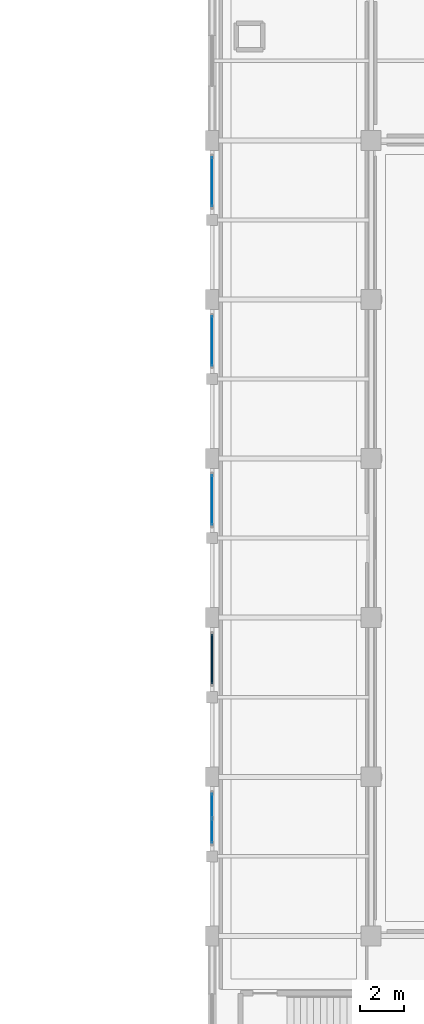
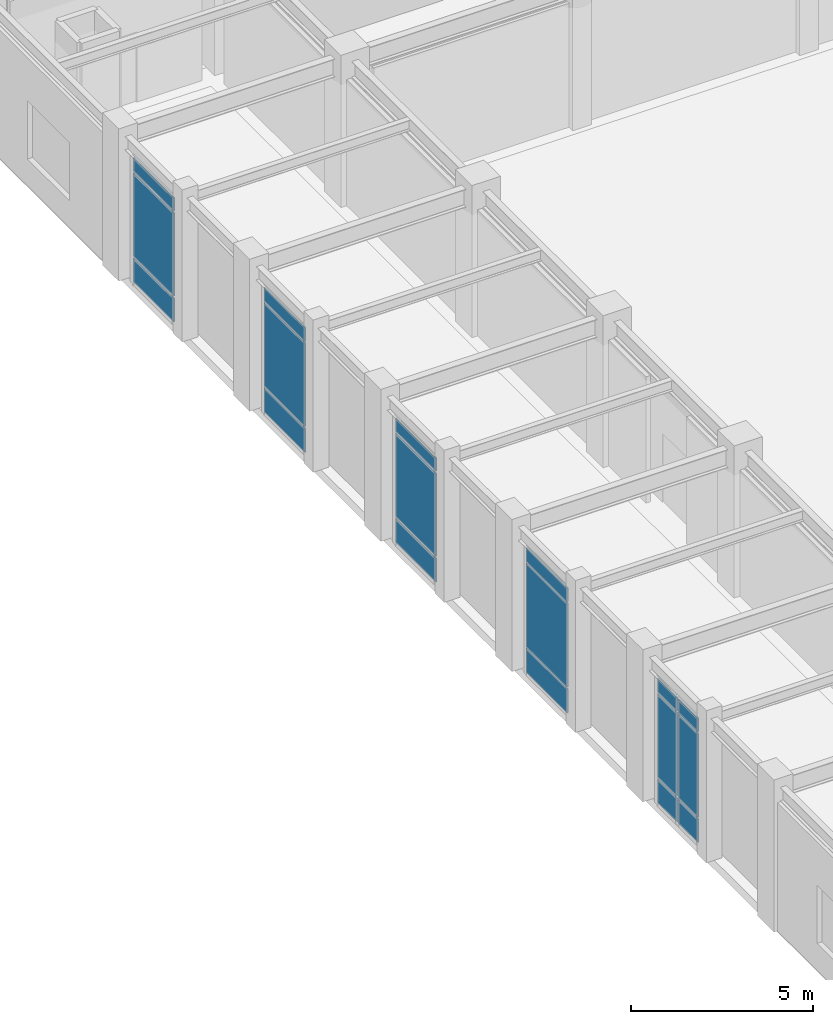
# One storey, part 70 of 117: 18 plates, 5 elements without a shape of their own.
"""IFC4 building model written with IfcOpenShell, lengths in metres."""

from ifc_helpers import new_model, si_unit, direction, frame, origin, origin_2d, place, context, subcontext, project, spatial, rectangle, extrude, material, layer, layer_set, type_object, element, aggregate, save


model = new_model("IFC4")

# Units and contexts
model_context = context("Model", 3, precision=1e-05, world=origin(), true_north=direction((0.0, 1.0)))
body_context = subcontext(model_context, "Body", "Model", "MODEL_VIEW")
ifc_project = project(units=[si_unit("LENGTHUNIT", "METRE"), si_unit("AREAUNIT", "SQUARE_METRE"), si_unit("VOLUMEUNIT", "CUBIC_METRE"), si_unit("PLANEANGLEUNIT", "RADIAN"), si_unit("MASSUNIT", "GRAM", prefix="KILO")], contexts=[model_context])

# Site, building, storey
site_placement = place(None, origin())
site = spatial("IfcSite", under=ifc_project, at=site_placement, CompositionType="ELEMENT")
building_placement = place(site_placement, origin())
building = spatial("IfcBuilding", under=site, at=building_placement, Name="Carrowvane Square Congress Hotel", CompositionType="ELEMENT")
storey_placement = place(building_placement, frame((0.0, 0.0, 5.39990234375)))
storey = spatial("IfcBuildingStorey", under=building, at=storey_placement, Name="L01", CompositionType="ELEMENT", Elevation=5.39990234375)

# Curtain wall, plates
ifc_material_1 = material(Name="Anodised aluminium", Category="aluminium")
ifc_layer_1 = layer(ifc_material_1, 0.197998046875)
ifc_layer_set_1 = layer_set([ifc_layer_1], Name="Anodised aluminium")
curtain_wall_type_1 = type_object("IfcCurtainWallType", Name="CW-SYS-4", PredefinedType="NOTDEFINED", material=ifc_layer_set_1)
curtain_wall_1_placement = place(storey_placement, origin())
curtain_wall_1 = element("IfcCurtainWall", 1, at=curtain_wall_1_placement, inside=storey, type_object=curtain_wall_type_1, Name="L01 unitised curtain wall 115", PredefinedType="NOTDEFINED")
ifc_material_2 = material(Name="Double-glazed low-E glass", Category="glass")
ifc_layer_2 = layer(ifc_material_2, 0.028076171875)
ifc_layer_set_2 = layer_set([ifc_layer_2], Name="Double-glazed low-E glass")
plate_type_1 = type_object("IfcPlateType", Name="CW-PAN-1", PredefinedType="CURTAIN_PANEL", material=ifc_layer_set_2)
plate_1_placement = place(storey_placement, frame((134.0, 32.324951171875, 0.070068359375), z_axis=(0.0, 0.0, 1.0), x_axis=(0.0, 1.0, 0.0)))
plate_1 = element("IfcPlate", 2, at=plate_1_placement, type_object=plate_type_1, Name="CW-4 panel 1.1", PredefinedType="CURTAIN_PANEL", context=body_context, shape_type="SweptSolid", body=[
    extrude(rectangle(XDim=2.22998046875, YDim=0.028076171875, at=origin_2d()), origin(), (0.0, 0.0, 1.0), 0.794921875),
])
plate_2_placement = place(storey_placement, frame((134.0, 32.324951171875, 0.93505859375), z_axis=(0.0, 0.0, 1.0), x_axis=(0.0, 1.0, 0.0)))
plate_2 = element("IfcPlate", 3, at=plate_2_placement, type_object=plate_type_1, Name="CW-4 panel 1.2", PredefinedType="CURTAIN_PANEL", context=body_context, shape_type="SweptSolid", body=[
    extrude(rectangle(XDim=2.22998046875, YDim=0.028076171875, at=origin_2d()), origin(), (0.0, 0.0, 1.0), 2.784912109375),
])
plate_3_placement = place(storey_placement, frame((134.0, 32.324951171875, 3.7900390625), z_axis=(0.0, 0.0, 1.0), x_axis=(0.0, 1.0, 0.0)))
plate_3 = element("IfcPlate", 4, at=plate_3_placement, type_object=plate_type_1, Name="CW-4 panel 1.3", PredefinedType="CURTAIN_PANEL", context=body_context, shape_type="SweptSolid", body=[
    extrude(rectangle(XDim=2.22998046875, YDim=0.028076171875, at=origin_2d()), origin(), (0.0, 0.0, 1.0), 0.445068359375),
])
aggregate(curtain_wall_1, [plate_1, plate_2, plate_3])

ifc_material_3 = material(Name="Anodised aluminium", Category="aluminium")
ifc_layer_3 = layer(ifc_material_3, 0.2099609375)
ifc_layer_set_3 = layer_set([ifc_layer_3], Name="Anodised aluminium")
curtain_wall_type_2 = type_object("IfcCurtainWallType", Name="CW-SYS-5", PredefinedType="NOTDEFINED", material=ifc_layer_set_3)
curtain_wall_2_placement = place(storey_placement, origin())
curtain_wall_2 = element("IfcCurtainWall", 5, at=curtain_wall_2_placement, inside=storey, type_object=curtain_wall_type_2, Name="L01 unitised curtain wall 116", PredefinedType="NOTDEFINED")
ifc_material_4 = material(Name="Double-glazed low-E glass", Category="glass")
ifc_layer_4 = layer(ifc_material_4, 0.031982421875)
ifc_layer_set_4 = layer_set([ifc_layer_4], Name="Double-glazed low-E glass")
plate_type_2 = type_object("IfcPlateType", Name="CW-PAN-2", PredefinedType="CURTAIN_PANEL", material=ifc_layer_set_4)
plate_4_placement = place(storey_placement, frame((134.0, 39.52490234375, 0.06005859375), z_axis=(0.0, 0.0, 1.0), x_axis=(0.0, 1.0, 0.0)))
plate_4 = element("IfcPlate", 6, at=plate_4_placement, type_object=plate_type_2, Name="CW-5 panel 1.1", PredefinedType="CURTAIN_PANEL", context=body_context, shape_type="SweptSolid", body=[
    extrude(rectangle(XDim=2.25, YDim=0.031982421875, at=origin_2d()), origin(), (0.0, 0.0, 1.0), 0.81005859375),
])
plate_5_placement = place(storey_placement, frame((134.0, 39.52490234375, 0.93017578125), z_axis=(0.0, 0.0, 1.0), x_axis=(0.0, 1.0, 0.0)))
plate_5 = element("IfcPlate", 7, at=plate_5_placement, type_object=plate_type_2, Name="CW-5 panel 1.2", PredefinedType="CURTAIN_PANEL", context=body_context, shape_type="SweptSolid", body=[
    extrude(rectangle(XDim=2.25, YDim=0.031982421875, at=origin_2d()), origin(), (0.0, 0.0, 1.0), 2.794921875),
])
plate_6_placement = place(storey_placement, frame((134.0, 39.52490234375, 3.78515625), z_axis=(0.0, 0.0, 1.0), x_axis=(0.0, 1.0, 0.0)))
plate_6 = element("IfcPlate", 8, at=plate_6_placement, type_object=plate_type_2, Name="CW-5 panel 1.3", PredefinedType="CURTAIN_PANEL", context=body_context, shape_type="SweptSolid", body=[
    extrude(rectangle(XDim=2.25, YDim=0.031982421875, at=origin_2d()), origin(), (0.0, 0.0, 1.0), 0.4599609375),
])
aggregate(curtain_wall_2, [plate_4, plate_5, plate_6])

ifc_material_5 = material(Name="Anodised aluminium", Category="aluminium")
ifc_layer_5 = layer(ifc_material_5, 0.221923828125)
ifc_layer_set_5 = layer_set([ifc_layer_5], Name="Anodised aluminium")
curtain_wall_type_3 = type_object("IfcCurtainWallType", Name="CW-SYS-6", PredefinedType="NOTDEFINED", material=ifc_layer_set_5)
curtain_wall_3_placement = place(storey_placement, origin())
curtain_wall_3 = element("IfcCurtainWall", 9, at=curtain_wall_3_placement, inside=storey, type_object=curtain_wall_type_3, Name="L01 unitised curtain wall 117", PredefinedType="NOTDEFINED")
ifc_material_6 = material(Name="Double-glazed low-E glass", Category="glass")
ifc_layer_6 = layer(ifc_material_6, 0.035888671875)
ifc_layer_set_6 = layer_set([ifc_layer_6], Name="Double-glazed low-E glass")
plate_type_3 = type_object("IfcPlateType", Name="CW-PAN-3", PredefinedType="CURTAIN_PANEL", material=ifc_layer_set_6)
plate_7_placement = place(storey_placement, frame((134.0, 46.72509765625, 0.070068359375), z_axis=(0.0, 0.0, 1.0), x_axis=(0.0, 1.0, 0.0)))
plate_7 = element("IfcPlate", 10, at=plate_7_placement, type_object=plate_type_3, Name="CW-6 panel 1.1", PredefinedType="CURTAIN_PANEL", context=body_context, shape_type="SweptSolid", body=[
    extrude(rectangle(XDim=2.22998046875, YDim=0.035888671875, at=origin_2d()), origin(), (0.0, 0.0, 1.0), 0.794921875),
])
plate_8_placement = place(storey_placement, frame((134.0, 46.72509765625, 0.93505859375), z_axis=(0.0, 0.0, 1.0), x_axis=(0.0, 1.0, 0.0)))
plate_8 = element("IfcPlate", 11, at=plate_8_placement, type_object=plate_type_3, Name="CW-6 panel 1.2", PredefinedType="CURTAIN_PANEL", context=body_context, shape_type="SweptSolid", body=[
    extrude(rectangle(XDim=2.22998046875, YDim=0.035888671875, at=origin_2d()), origin(), (0.0, 0.0, 1.0), 2.784912109375),
])
plate_9_placement = place(storey_placement, frame((134.0, 46.72509765625, 3.7900390625), z_axis=(0.0, 0.0, 1.0), x_axis=(0.0, 1.0, 0.0)))
plate_9 = element("IfcPlate", 12, at=plate_9_placement, type_object=plate_type_3, Name="CW-6 panel 1.3", PredefinedType="CURTAIN_PANEL", context=body_context, shape_type="SweptSolid", body=[
    extrude(rectangle(XDim=2.22998046875, YDim=0.035888671875, at=origin_2d()), origin(), (0.0, 0.0, 1.0), 0.445068359375),
])
aggregate(curtain_wall_3, [plate_7, plate_8, plate_9])

ifc_material_7 = material(Name="Anodised aluminium", Category="aluminium")
ifc_layer_7 = layer(ifc_material_7, 0.174072265625)
ifc_layer_set_7 = layer_set([ifc_layer_7], Name="Anodised aluminium")
curtain_wall_type_4 = type_object("IfcCurtainWallType", Name="CW-SYS-2", PredefinedType="NOTDEFINED", material=ifc_layer_set_7)
curtain_wall_4_placement = place(storey_placement, origin())
curtain_wall_4 = element("IfcCurtainWall", 13, at=curtain_wall_4_placement, inside=storey, type_object=curtain_wall_type_4, Name="L01 unitised curtain wall 113", PredefinedType="NOTDEFINED")
ifc_material_8 = material(Name="Double-glazed low-E glass", Category="glass")
ifc_layer_8 = layer(ifc_material_8, 0.0419921875)
ifc_layer_set_8 = layer_set([ifc_layer_8], Name="Double-glazed low-E glass")
plate_type_4 = type_object("IfcPlateType", Name="CW-PAN-4", PredefinedType="CURTAIN_PANEL", material=ifc_layer_set_8)
plate_10_placement = place(storey_placement, frame((134.0, 17.35009765625, 0.070068359375), z_axis=(0.0, 0.0, 1.0), x_axis=(0.0, 1.0, 0.0)))
plate_10 = element("IfcPlate", 14, at=plate_10_placement, type_object=plate_type_4, Name="CW-2 panel 1.1", PredefinedType="CURTAIN_PANEL", context=body_context, shape_type="SweptSolid", body=[
    extrude(rectangle(XDim=1.080078125, YDim=0.0419921875, at=origin_2d()), origin(), (0.0, 0.0, 1.0), 0.794921875),
])
plate_11_placement = place(storey_placement, frame((134.0, 17.35009765625, 0.93505859375), z_axis=(0.0, 0.0, 1.0), x_axis=(0.0, 1.0, 0.0)))
plate_11 = element("IfcPlate", 15, at=plate_11_placement, type_object=plate_type_4, Name="CW-2 panel 1.2", PredefinedType="CURTAIN_PANEL", context=body_context, shape_type="SweptSolid", body=[
    extrude(rectangle(XDim=1.080078125, YDim=0.0419921875, at=origin_2d()), origin(), (0.0, 0.0, 1.0), 2.784912109375),
])
plate_12_placement = place(storey_placement, frame((134.0, 17.35009765625, 3.7900390625), z_axis=(0.0, 0.0, 1.0), x_axis=(0.0, 1.0, 0.0)))
plate_12 = element("IfcPlate", 16, at=plate_12_placement, type_object=plate_type_4, Name="CW-2 panel 1.3", PredefinedType="CURTAIN_PANEL", context=body_context, shape_type="SweptSolid", body=[
    extrude(rectangle(XDim=1.080078125, YDim=0.0419921875, at=origin_2d()), origin(), (0.0, 0.0, 1.0), 0.445068359375),
])
plate_13_placement = place(storey_placement, frame((134.0, 18.5, 0.070068359375), z_axis=(0.0, 0.0, 1.0), x_axis=(0.0, 1.0, 0.0)))
plate_13 = element("IfcPlate", 17, at=plate_13_placement, type_object=plate_type_4, Name="CW-2 panel 2.1", PredefinedType="CURTAIN_PANEL", context=body_context, shape_type="SweptSolid", body=[
    extrude(rectangle(XDim=1.080078125, YDim=0.0419921875, at=origin_2d()), origin(), (0.0, 0.0, 1.0), 0.794921875),
])
plate_14_placement = place(storey_placement, frame((134.0, 18.5, 0.93505859375), z_axis=(0.0, 0.0, 1.0), x_axis=(0.0, 1.0, 0.0)))
plate_14 = element("IfcPlate", 18, at=plate_14_placement, type_object=plate_type_4, Name="CW-2 panel 2.2", PredefinedType="CURTAIN_PANEL", context=body_context, shape_type="SweptSolid", body=[
    extrude(rectangle(XDim=1.080078125, YDim=0.0419921875, at=origin_2d()), origin(), (0.0, 0.0, 1.0), 2.784912109375),
])
plate_15_placement = place(storey_placement, frame((134.0, 18.5, 3.7900390625), z_axis=(0.0, 0.0, 1.0), x_axis=(0.0, 1.0, 0.0)))
plate_15 = element("IfcPlate", 19, at=plate_15_placement, type_object=plate_type_4, Name="CW-2 panel 2.3", PredefinedType="CURTAIN_PANEL", context=body_context, shape_type="SweptSolid", body=[
    extrude(rectangle(XDim=1.080078125, YDim=0.0419921875, at=origin_2d()), origin(), (0.0, 0.0, 1.0), 0.445068359375),
])
aggregate(curtain_wall_4, [plate_10, plate_11, plate_12, plate_13, plate_14, plate_15])

ifc_material_9 = material(Name="Anodised aluminium", Category="aluminium")
ifc_layer_9 = layer(ifc_material_9, 0.18603515625)
ifc_layer_set_9 = layer_set([ifc_layer_9], Name="Anodised aluminium")
curtain_wall_type_5 = type_object("IfcCurtainWallType", Name="CW-SYS-3", PredefinedType="NOTDEFINED", material=ifc_layer_set_9)
curtain_wall_5_placement = place(storey_placement, origin())
curtain_wall_5 = element("IfcCurtainWall", 20, at=curtain_wall_5_placement, inside=storey, type_object=curtain_wall_type_5, Name="L01 unitised curtain wall 114", PredefinedType="NOTDEFINED")
ifc_material_10 = material(Name="Double-glazed low-E glass", Category="glass")
ifc_layer_10 = layer(ifc_material_10, 0.048095703125)
ifc_layer_set_10 = layer_set([ifc_layer_10], Name="Double-glazed low-E glass")
plate_type_5 = type_object("IfcPlateType", Name="CW-PAN-5", PredefinedType="CURTAIN_PANEL", material=ifc_layer_set_10)
plate_16_placement = place(storey_placement, frame((134.0, 25.125, 0.06005859375), z_axis=(0.0, 0.0, 1.0), x_axis=(0.0, 1.0, 0.0)))
plate_16 = element("IfcPlate", 21, at=plate_16_placement, type_object=plate_type_5, Name="CW-3 panel 1.1", PredefinedType="CURTAIN_PANEL", context=body_context, shape_type="SweptSolid", body=[
    extrude(rectangle(XDim=2.25, YDim=0.048095703125, at=origin_2d()), origin(), (0.0, 0.0, 1.0), 0.81005859375),
])
plate_17_placement = place(storey_placement, frame((134.0, 25.125, 0.93017578125), z_axis=(0.0, 0.0, 1.0), x_axis=(0.0, 1.0, 0.0)))
plate_17 = element("IfcPlate", 22, at=plate_17_placement, type_object=plate_type_5, Name="CW-3 panel 1.2", PredefinedType="CURTAIN_PANEL", context=body_context, shape_type="SweptSolid", body=[
    extrude(rectangle(XDim=2.25, YDim=0.048095703125, at=origin_2d()), origin(), (0.0, 0.0, 1.0), 2.794921875),
])
plate_18_placement = place(storey_placement, frame((134.0, 25.125, 3.78515625), z_axis=(0.0, 0.0, 1.0), x_axis=(0.0, 1.0, 0.0)))
plate_18 = element("IfcPlate", 23, at=plate_18_placement, type_object=plate_type_5, Name="CW-3 panel 1.3", PredefinedType="CURTAIN_PANEL", context=body_context, shape_type="SweptSolid", body=[
    extrude(rectangle(XDim=2.25, YDim=0.048095703125, at=origin_2d()), origin(), (0.0, 0.0, 1.0), 0.4599609375),
])
aggregate(curtain_wall_5, [plate_16, plate_17, plate_18])

save(model, "model.ifc")
